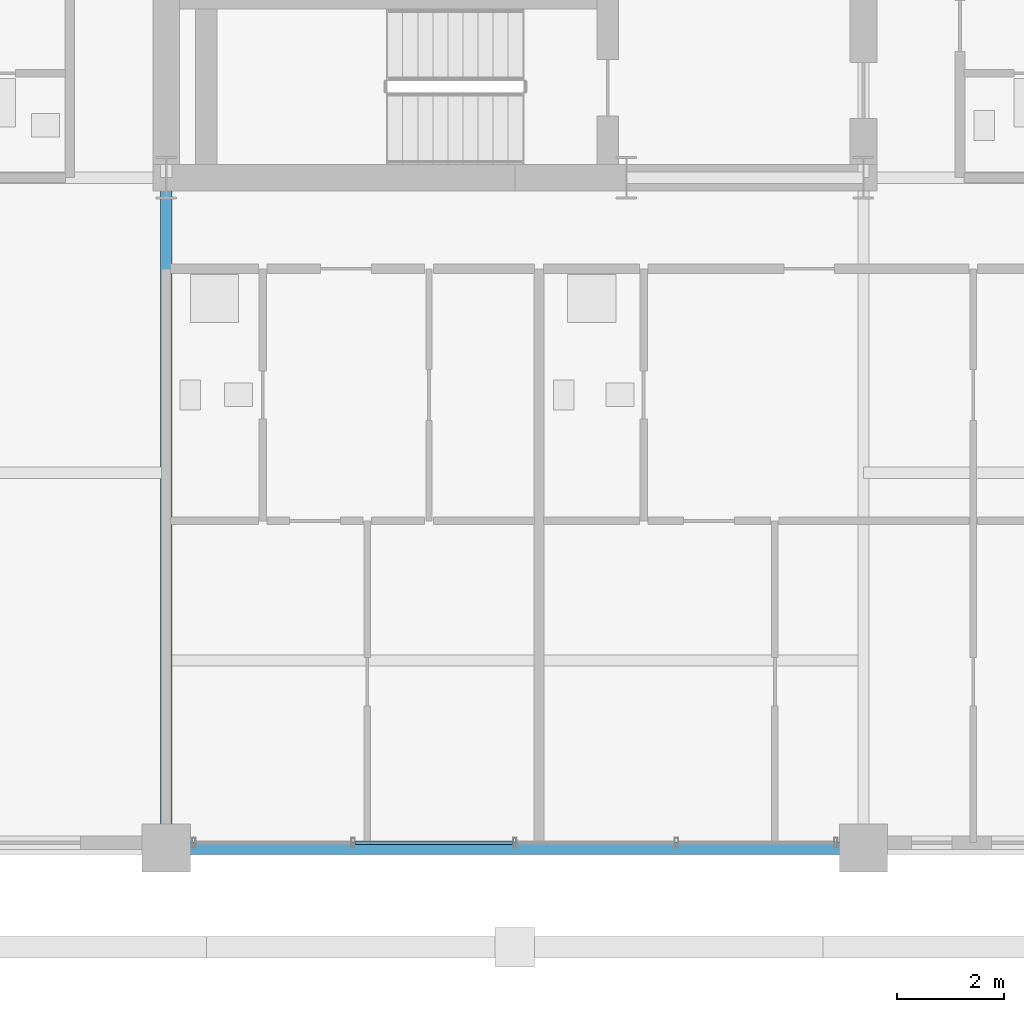
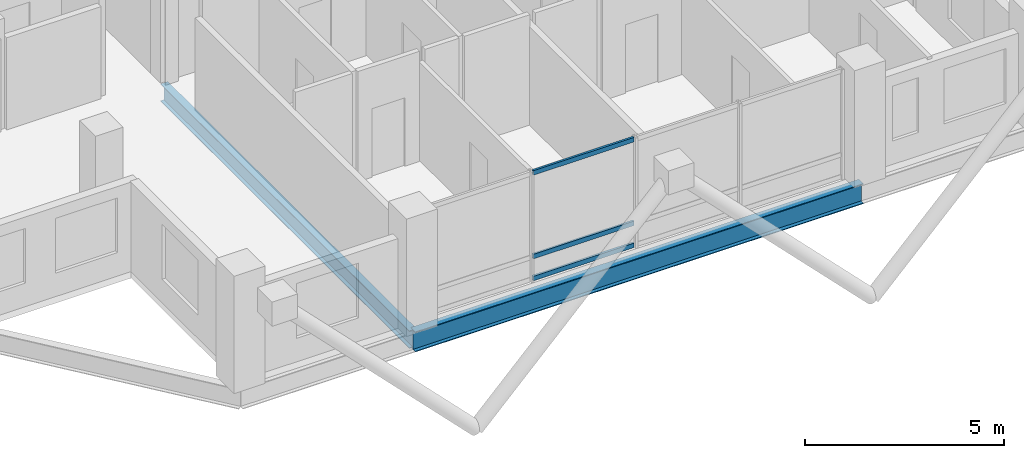
# One storey, part 4 of 24: 3 members, 2 beams, 1 element without a shape of its own.
"""IFC4 building model written with IfcOpenShell, lengths in metres."""

from ifc_helpers import new_model, si_unit, direction, frame, origin, origin_2d, place, context, subcontext, project, spatial, hollow_rectangle, i_section, extrude, material, layer, layer_set, material_profile, profile_set, type_object, element, aggregate, save


model = new_model("IFC4")

# Units and contexts
model_context = context("Model", 3, precision=1e-05, world=origin(), true_north=direction((0.0, 1.0)))
body_context = subcontext(model_context, "Body", "Model", "MODEL_VIEW")
ifc_project = project(units=[si_unit("LENGTHUNIT", "METRE"), si_unit("AREAUNIT", "SQUARE_METRE"), si_unit("VOLUMEUNIT", "CUBIC_METRE"), si_unit("PLANEANGLEUNIT", "RADIAN"), si_unit("MASSUNIT", "GRAM", prefix="KILO")], contexts=[model_context])

# Site, building, storey
site_placement = place(None, origin())
site = spatial("IfcSite", under=ifc_project, at=site_placement, CompositionType="ELEMENT")
building_placement = place(site_placement, origin())
building = spatial("IfcBuilding", under=site, at=building_placement, Name="Barlavira Tower and Art Museum", CompositionType="ELEMENT")
storey_placement = place(building_placement, frame((0.0, 0.0, 225.89990234375)))
storey = spatial("IfcBuildingStorey", under=building, at=storey_placement, Name="L58", CompositionType="ELEMENT", Elevation=225.89990234375)

# Curtain wall, members
ifc_material_1 = material(Name="Low-iron coastal laminated glass", Category="glass")
ifc_layer = layer(ifc_material_1, 0.2099609375, Name="Low-iron coastal laminated glass")
ifc_layer_set = layer_set([ifc_layer], Name="Low-iron coastal laminated glass")
curtain_wall_type = type_object("IfcCurtainWallType", Name="Pale-Metal Unitised Curtain Wall Zone 4", PredefinedType="NOTDEFINED", material=ifc_layer_set)
curtain_wall_placement = place(storey_placement, origin())
curtain_wall = element("IfcCurtainWall", 1, at=curtain_wall_placement, inside=storey, type_object=curtain_wall_type, Name="L58 Curtain Wall CW4-L58-S-B2", PredefinedType="NOTDEFINED")
ifc_material_2 = material(Name="Pale anodised aluminium", Category="aluminium")
ifc_material_profile_1 = material_profile(ifc_material_2, hollow_rectangle(XDim=0.06494140625, YDim=0.139892578125, WallThickness=0.00390625, at=origin_2d()), Name="ALU-TRAN 65x140x4")
ifc_profile_set_1 = profile_set([ifc_material_profile_1], Name="Pale anodised aluminium")
member_type = type_object("IfcMemberType", Name="Curtain Wall Pale-Metal Transom 65x140", PredefinedType="USERDEFINED", material=ifc_profile_set_1)
member_1_placement = place(storey_placement, frame((-2.969970703125, -19.89990234375, 0.070068359375), z_axis=(1.0, 0.0, 0.0), x_axis=(0.0, 1.0, 0.0)))
member_1 = element("IfcMember", 2, at=member_1_placement, type_object=member_type, Name="CW4-L58-S-B2 Transom 1.1", ObjectType="TRANSOM", PredefinedType="USERDEFINED", context=body_context, shape_type="SweptSolid", body=[
    extrude(hollow_rectangle(XDim=0.06494140625, YDim=0.139892578125, WallThickness=0.00390625, at=origin_2d()), origin(), (0.0, 0.0, 1.0), 2.925048828125),
])
member_2_placement = place(storey_placement, frame((-2.969970703125, -19.89990234375, 0.744140625), z_axis=(1.0, 0.0, 0.0), x_axis=(0.0, 1.0, 0.0)))
member_2 = element("IfcMember", 3, at=member_2_placement, type_object=member_type, Name="CW4-L58-S-B2 Transom 1.2", ObjectType="TRANSOM", PredefinedType="USERDEFINED", context=body_context, shape_type="SweptSolid", body=[
    extrude(hollow_rectangle(XDim=0.06494140625, YDim=0.139892578125, WallThickness=0.00390625, at=origin_2d()), origin(), (0.0, 0.0, 1.0), 2.925048828125),
])
member_3_placement = place(storey_placement, frame((-2.969970703125, -19.89990234375, 3.31005859375), z_axis=(1.0, 0.0, 0.0), x_axis=(0.0, 1.0, 0.0)))
member_3 = element("IfcMember", 4, at=member_3_placement, type_object=member_type, Name="CW4-L58-S-B2 Transom 1.3", ObjectType="TRANSOM", PredefinedType="USERDEFINED", context=body_context, shape_type="SweptSolid", body=[
    extrude(hollow_rectangle(XDim=0.06494140625, YDim=0.139892578125, WallThickness=0.00390625, at=origin_2d()), origin(), (0.0, 0.0, 1.0), 2.925048828125),
])
aggregate(curtain_wall, [member_1, member_2, member_3])

# Beams
ifc_material_3 = material(Name="Steel S355", Category="steel")
ifc_material_profile_2 = material_profile(ifc_material_3, i_section(OverallWidth=0.22998046875, OverallDepth=0.616943359375, WebThickness=0.01318359375, FlangeThickness=0.022216796875, at=origin_2d()), Name="W610x140.0")
ifc_profile_set_2 = profile_set([ifc_material_profile_2], Name="Steel S355")
beam_type_1 = type_object("IfcBeamType", Name="Upper Shaft Spandrel Edge Beam W610x140 Steel S355", PredefinedType="SPANDREL", material=ifc_profile_set_2)
beam_1_placement = place(storey_placement, frame((-6.5, -20.0, -0.5283203125), z_axis=(1.0, 0.0, 0.0), x_axis=(0.0, 1.0, 0.0)))
element("IfcBeam", 5, at=beam_1_placement, inside=storey, type_object=beam_type_1, Name="L58 Spandrel 2", PredefinedType="SPANDREL", context=body_context, shape_type="SweptSolid", body=[
    extrude(i_section(OverallWidth=0.22998046875, OverallDepth=0.616943359375, WebThickness=0.01318359375, FlangeThickness=0.022216796875, at=origin_2d()), origin(), (0.0, 0.0, 1.0), 13.0),
])
ifc_material_profile_3 = material_profile(ifc_material_3, i_section(OverallWidth=0.2109375, OverallDepth=0.5390625, WebThickness=0.01171875, FlangeThickness=0.018798828125, at=origin_2d()), Name="W530x109.0")
ifc_profile_set_3 = profile_set([ifc_material_profile_3], Name="Steel S355")
beam_type_2 = type_object("IfcBeamType", Name="Zone 3-4 Primary Floor Girder W530x109 Steel S355", PredefinedType="BEAM", material=ifc_profile_set_3)
beam_2_placement = place(storey_placement, frame((-6.5, -20.0, -0.489501953125), z_axis=(0.0, 1.0, 0.0), x_axis=(-1.0, 0.0, 0.0)))
element("IfcBeam", 6, at=beam_2_placement, inside=storey, type_object=beam_type_2, Name="L58 Girder R-S1", PredefinedType="BEAM", context=body_context, shape_type="SweptSolid", body=[
    extrude(i_section(OverallWidth=0.2109375, OverallDepth=0.5390625, WebThickness=0.01171875, FlangeThickness=0.018798828125, at=origin_2d()), origin(), (0.0, 0.0, 1.0), 12.5),
])

save(model, "model.ifc")
